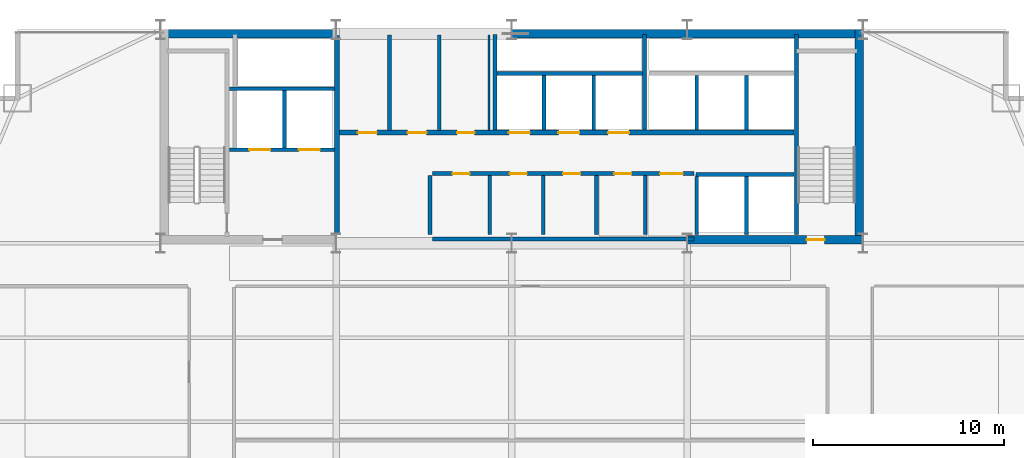
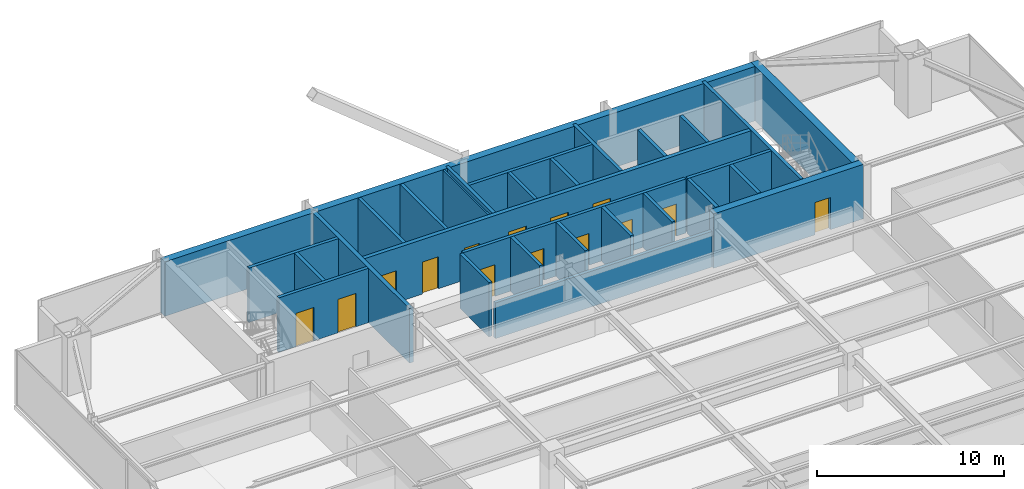
# One storey, part 34 of 37: 29 walls, 14 doors, 14 openings.
"""IFC4 building model written with IfcOpenShell, lengths in metres."""

from ifc_helpers import new_model, si_unit, direction, frame, frame_2d, origin, place, context, subcontext, project, spatial, rectangle, extrude, source, transform, mapped, material, layer, layer_set, type_object, type_shapes, element, fill, save


model = new_model("IFC4")

# Units and contexts
model_context = context("Model", 3, precision=1e-05, world=origin(), true_north=direction((0.0, 1.0)))
body_context = subcontext(model_context, "Body", "Model", "MODEL_VIEW")
ifc_project = project(units=[si_unit("LENGTHUNIT", "METRE"), si_unit("AREAUNIT", "SQUARE_METRE"), si_unit("VOLUMEUNIT", "CUBIC_METRE"), si_unit("PLANEANGLEUNIT", "RADIAN"), si_unit("MASSUNIT", "GRAM", prefix="KILO")], contexts=[model_context])

# Site, building, storey
site_placement = place(None, origin())
site = spatial("IfcSite", under=ifc_project, at=site_placement, CompositionType="ELEMENT")
building_placement = place(site_placement, origin())
building = spatial("IfcBuilding", under=site, at=building_placement, Name="Varnel Quay Broadcast Tower", CompositionType="ELEMENT")
storey_placement = place(building_placement, frame((0.0, 0.0, 106.800048828125)))
storey = spatial("IfcBuildingStorey", under=building, at=storey_placement, Name="L25", CompositionType="ELEMENT", Elevation=106.800048828125)

# Wall, openings, doors
ifc_material_1 = material(Name="Concrete CSA A23.3 C50/60", Category="concrete")
ifc_layer_1 = layer(ifc_material_1, 0.199951171875, Name="Concrete CSA A23.3 C50/60")
ifc_layer_set_1 = layer_set([ifc_layer_1], Name="Concrete CSA A23.3 C50/60")
wall_type_1 = type_object("IfcWallType", Name="Wall_CoreShaftShear200", PredefinedType="SHEAR", material=ifc_layer_set_1)
wall_1_placement = place(storey_placement, frame((19.199951171875, 40.5, 0.0), z_axis=(0.0, 0.0, 1.0), x_axis=(1.0, 0.0, 0.0)))
wall_1 = element("IfcWall", 1, at=wall_1_placement, inside=storey, type_object=wall_type_1, Name="L25 Firefighter Lift Shaft Front Wall", PredefinedType="SHEAR", context=body_context, shape_type="SweptSolid", body=[
    extrude(rectangle(XDim=5.52001953125, YDim=0.199951171875, at=frame_2d((2.760009765625, 0.0))), origin(), (0.0, 0.0, 1.0), 3.550048828125),
])
opening_1_placement = place(wall_1_placement, frame((1.050048828125, 0.0, 0.0)))
opening_1 = element("IfcOpeningElement", 2, at=opening_1_placement, cuts=wall_1, Name="Opening LD-L25-FE1", PredefinedType="OPENING", context=body_context, shape_type="SweptSolid", body=[
    extrude(rectangle(XDim=1.10009765625, YDim=2.179931640625, at=frame_2d((0.550048828125, 1.08984375))), frame((0.0, 0.10986328125, 0.0), z_axis=(0.0, -1.0, 0.0), x_axis=(1.0, 0.0, 0.0)), (0.0, 0.0, 1.0), 0.219970703125),
])
opening_2_placement = place(wall_1_placement, frame((3.64990234375, 0.0, 0.0)))
opening_2 = element("IfcOpeningElement", 3, at=opening_2_placement, cuts=wall_1, Name="Opening LD-L25-FE2", PredefinedType="OPENING", context=body_context, shape_type="SweptSolid", body=[
    extrude(rectangle(XDim=1.10009765625, YDim=2.179931640625, at=frame_2d((0.550048828125, 1.08984375))), frame((0.0, 0.10986328125, 0.0), z_axis=(0.0, -1.0, 0.0), x_axis=(1.0, 0.0, 0.0)), (0.0, 0.0, 1.0), 0.219970703125),
])
ifc_material_2 = material(Name="Brushed Bronze-Stainless Lift Car & Sliding Doors", Category="steel")
door_type_1 = type_object("IfcDoorType", Name="Door_LiftLanding1100", OperationType="SLIDING_TO_LEFT", PredefinedType="DOOR", material=ifc_material_2)
shared_shape_1 = source(origin(), body_context, "Body", "SweptSolid", [
    extrude(rectangle(XDim=1.10009765625, YDim=2.179931640625, at=frame_2d((0.550048828125, 1.08984375))), frame((0.0, 0.02490234375, 0.0), z_axis=(0.0, -1.0, 0.0), x_axis=(1.0, 0.0, 0.0)), (0.0, 0.0, 1.0), 0.050048828125),
])
type_shapes(door_type_1, [shared_shape_1])
door_1_placement = place(opening_1_placement, frame((1.10009765625, 0.0, 0.0), z_axis=(0.0, 0.0, 1.0), x_axis=(-1.0, 0.0, 0.0)))
door_1 = element("IfcDoor", 4, at=door_1_placement, inside=storey, type_object=door_type_1, Name="L25 Firefighter Lift FE-01 Landing Door", OperationType="SLIDING_TO_LEFT", OverallHeight=2.179931640625, OverallWidth=1.10009765625, PredefinedType="DOOR", context=body_context, shape_type="MappedRepresentation", body=[
    mapped(shared_shape_1, transform((0.0, 0.0, 0.0), x_axis=(1.0, 0.0, 0.0), y_axis=(0.0, 1.0, 0.0), z_axis=(0.0, 0.0, 1.0), scale=1.0)),
])
fill(opening_1, door_1)
door_2_placement = place(opening_2_placement, frame((1.10009765625, 0.0, 0.0), z_axis=(0.0, 0.0, 1.0), x_axis=(-1.0, 0.0, 0.0)))
door_2 = element("IfcDoor", 5, at=door_2_placement, inside=storey, type_object=door_type_1, Name="L25 Firefighter Lift FE-02 Landing Door", OperationType="SLIDING_TO_RIGHT", OverallHeight=2.179931640625, OverallWidth=1.10009765625, PredefinedType="DOOR", context=body_context, shape_type="MappedRepresentation", body=[
    mapped(shared_shape_1, transform((0.0, 0.0, 0.0), x_axis=(1.0, 0.0, 0.0), y_axis=(0.0, 1.0, 0.0), z_axis=(0.0, 0.0, 1.0), scale=1.0)),
])
fill(opening_2, door_2)

# Walls
wall_2_placement = place(storey_placement, frame((19.199951171875, 43.699951171875, 0.0), z_axis=(0.0, 0.0, 1.0), x_axis=(1.0, 0.0, 0.0)))
element("IfcWall", 6, at=wall_2_placement, inside=storey, type_object=wall_type_1, Name="L25 Firefighter Lift Shaft Rear Wall", PredefinedType="SHEAR", context=body_context, shape_type="SweptSolid", body=[
    extrude(rectangle(XDim=5.52001953125, YDim=0.199951171875, at=frame_2d((2.760009765625, 0.0))), origin(), (0.0, 0.0, 1.0), 3.550048828125),
])
wall_3_placement = place(storey_placement, frame((22.10009765625, 40.60009765625, 0.0), z_axis=(0.0, 0.0, 1.0), x_axis=(0.0, 1.0, 0.0)))
element("IfcWall", 7, at=wall_3_placement, inside=storey, type_object=wall_type_1, Name="L25 Firefighter Lift Shaft Divider", PredefinedType="SHEAR", context=body_context, shape_type="SweptSolid", body=[
    extrude(rectangle(XDim=3.0, YDim=0.199951171875, at=frame_2d((1.5, 0.0))), origin(), (0.0, 0.0, 1.0), 3.550048828125),
])
wall_4_placement = place(storey_placement, frame((48.919921875, 36.050048828125, 0.0), z_axis=(0.0, 0.0, 1.0), x_axis=(0.0, 1.0, 0.0)))
element("IfcWall", 8, at=wall_4_placement, inside=storey, type_object=wall_type_1, Name="L25 Stair 2 West Structural Wall", PredefinedType="SHEAR", context=body_context, shape_type="SweptSolid", body=[
    extrude(rectangle(XDim=10.5, YDim=0.199951171875, at=frame_2d((5.25, 0.0))), origin(), (0.0, 0.0, 1.0), 3.550048828125),
])
wall_5_placement = place(storey_placement, frame((33.219970703125, 44.5, 0.0), z_axis=(0.0, 0.0, 1.0), x_axis=(1.0, 0.0, 0.0)))
element("IfcWall", 9, at=wall_5_placement, inside=storey, type_object=wall_type_1, Name="L25 Mid-Rise Lift Shaft Rear Wall", PredefinedType="SHEAR", context=body_context, shape_type="SweptSolid", body=[
    extrude(rectangle(XDim=7.630126953125, YDim=0.199951171875, at=frame_2d((3.81494140625, 0.0))), origin(), (0.0, 0.0, 1.0), 3.550048828125),
])
wall_6_placement = place(storey_placement, frame((33.1201171875, 41.530029296875, 0.0), z_axis=(0.0, 0.0, 1.0), x_axis=(0.0, 1.0, 0.0)))
element("IfcWall", 10, at=wall_6_placement, inside=storey, type_object=wall_type_1, Name="L25 Mid-Rise Lift Shaft Divider 1", PredefinedType="SHEAR", context=body_context, shape_type="SweptSolid", body=[
    extrude(rectangle(XDim=5.02001953125, YDim=0.199951171875, at=frame_2d((2.510009765625, 0.0))), origin(), (0.0, 0.0, 1.0), 3.550048828125),
])
for number, where, z_axis, x_axis, name in (
    (11, (35.699951171875, 41.530029296875, 0.0), (0.0, 0.0, 1.0), (0.0, 1.0, 0.0), "L25 Mid-Rise Lift Shaft Divider 2"),
    (12, (38.300048828125, 41.530029296875, 0.0), (0.0, 0.0, 1.0), (0.0, 1.0, 0.0), "L25 Mid-Rise Lift Shaft Divider 3"),
):
    element("IfcWall", number, at=place(storey_placement, frame(where, z_axis=z_axis, x_axis=x_axis)), inside=storey, type_object=wall_type_1, Name=name, PredefinedType="SHEAR", context=body_context, shape_type="SweptSolid", body=[
        extrude(rectangle(XDim=2.869873046875, YDim=0.199951171875, at=frame_2d((1.43505859375, 0.0))), origin(), (0.0, 0.0, 1.0), 3.550048828125),
    ])
wall_7_placement = place(storey_placement, frame((40.949951171875, 41.530029296875, 0.0), z_axis=(0.0, 0.0, 1.0), x_axis=(0.0, 1.0, 0.0)))
element("IfcWall", 13, at=wall_7_placement, inside=storey, type_object=wall_type_1, Name="L25 Mid-Rise Lift Shaft Divider 4", PredefinedType="SHEAR", context=body_context, shape_type="SweptSolid", body=[
    extrude(rectangle(XDim=5.02001953125, YDim=0.199951171875, at=frame_2d((2.510009765625, 0.0))), origin(), (0.0, 0.0, 1.0), 3.550048828125),
])
for number, where, z_axis, x_axis, name in (
    (14, (43.699951171875, 41.530029296875, 0.0), (0.0, 0.0, 1.0), (0.0, 1.0, 0.0), "L25 High-Rise Lift Shaft Divider 2"),
    (15, (46.300048828125, 41.530029296875, 0.0), (0.0, 0.0, 1.0), (0.0, 1.0, 0.0), "L25 High-Rise Lift Shaft Divider 3"),
):
    element("IfcWall", number, at=place(storey_placement, frame(where, z_axis=z_axis, x_axis=x_axis)), inside=storey, type_object=wall_type_1, Name=name, PredefinedType="SHEAR", context=body_context, shape_type="SweptSolid", body=[
        extrude(rectangle(XDim=2.869873046875, YDim=0.199951171875, at=frame_2d((1.43505859375, 0.0))), origin(), (0.0, 0.0, 1.0), 3.550048828125),
    ])
for number, where, z_axis, x_axis, name in (
    (16, (43.699951171875, 36.050048828125, 0.0), (0.0, 0.0, 1.0), (0.0, 1.0, 0.0), "L25 Express Lift Shaft West Wall"),
    (17, (46.300048828125, 36.050048828125, 0.0), (0.0, 0.0, 1.0), (0.0, 1.0, 0.0), "L25 Express Lift Shaft Divider"),
):
    element("IfcWall", number, at=place(storey_placement, frame(where, z_axis=z_axis, x_axis=x_axis)), inside=storey, type_object=wall_type_1, Name=name, PredefinedType="SHEAR", context=body_context, shape_type="SweptSolid", body=[
        extrude(rectangle(XDim=3.050048828125, YDim=0.199951171875, at=frame_2d((1.52490234375, 0.0))), origin(), (0.0, 0.0, 1.0), 3.550048828125),
    ])
wall_8_placement = place(storey_placement, frame((43.64990234375, 39.199951171875, 0.0), z_axis=(0.0, 0.0, 1.0), x_axis=(1.0, 0.0, 0.0)))
element("IfcWall", 18, at=wall_8_placement, inside=storey, type_object=wall_type_1, Name="L25 Express Lift Shaft North Front Wall", PredefinedType="SHEAR", context=body_context, shape_type="SweptSolid", body=[
    extrude(rectangle(XDim=5.150146484375, YDim=0.199951171875, at=frame_2d((2.5751953125, 0.0))), origin(), (0.0, 0.0, 1.0), 3.550048828125),
])
ifc_layer_2 = layer(ifc_material_1, 0.25, Name="Concrete CSA A23.3 C50/60")
ifc_layer_set_2 = layer_set([ifc_layer_2], Name="Concrete CSA A23.3 C50/60")
wall_type_2 = type_object("IfcWallType", Name="Wall_CoreShaftShear250", PredefinedType="SHEAR", material=ifc_layer_set_2)
wall_9_placement = place(storey_placement, frame((24.85009765625, 36.050048828125, 0.0), z_axis=(0.0, 0.0, 1.0), x_axis=(0.0, 1.0, 0.0)))
element("IfcWall", 19, at=wall_9_placement, inside=storey, type_object=wall_type_2, Name="L25 Firefighting Lobby East Structural Wall", PredefinedType="SHEAR", context=body_context, shape_type="SweptSolid", body=[
    extrude(rectangle(XDim=10.449951171875, YDim=0.25, at=frame_2d((5.22509765625, 0.0))), origin(), (0.0, 0.0, 1.0), 3.550048828125),
])

# Wall, openings, doors
wall_10_placement = place(storey_placement, frame((24.97998046875, 41.39990234375, 0.0), z_axis=(0.0, 0.0, 1.0), x_axis=(1.0, 0.0, 0.0)))
wall_10 = element("IfcWall", 20, at=wall_10_placement, inside=storey, type_object=wall_type_2, Name="L25 North Lift Bank & Reclaimed Suite Wall", PredefinedType="SHEAR", context=body_context, shape_type="SweptSolid", body=[
    extrude(rectangle(XDim=23.820068359375, YDim=0.25, at=frame_2d((11.91015625, 0.0))), origin(), (0.0, 0.0, 1.0), 3.550048828125),
])
opening_3_placement = place(wall_10_placement, frame((8.8701171875, 0.0, 0.0)))
opening_3 = element("IfcOpeningElement", 21, at=opening_3_placement, cuts=wall_10, Name="Opening LD-L25-PM-01", PredefinedType="OPENING", context=body_context, shape_type="SweptSolid", body=[
    extrude(rectangle(XDim=1.10009765625, YDim=2.179931640625, at=frame_2d((0.550048828125, 1.08984375))), frame((0.0, 0.135009765625, 0.0), z_axis=(0.0, -1.0, 0.0), x_axis=(1.0, 0.0, 0.0)), (0.0, 0.0, 1.0), 0.27001953125),
])
opening_4_placement = place(wall_10_placement, frame((11.469970703125, 0.0, 0.0)))
opening_4 = element("IfcOpeningElement", 22, at=opening_4_placement, cuts=wall_10, Name="Opening LD-L25-PM-02", PredefinedType="OPENING", context=body_context, shape_type="SweptSolid", body=[
    extrude(rectangle(XDim=1.10009765625, YDim=2.179931640625, at=frame_2d((0.550048828125, 1.08984375))), frame((0.0, 0.135009765625, 0.0), z_axis=(0.0, -1.0, 0.0), x_axis=(1.0, 0.0, 0.0)), (0.0, 0.0, 1.0), 0.27001953125),
])
opening_5_placement = place(wall_10_placement, frame((14.070068359375, 0.0, 0.0)))
opening_5 = element("IfcOpeningElement", 23, at=opening_5_placement, cuts=wall_10, Name="Opening LD-L25-PM-03", PredefinedType="OPENING", context=body_context, shape_type="SweptSolid", body=[
    extrude(rectangle(XDim=1.10009765625, YDim=2.179931640625, at=frame_2d((0.550048828125, 1.08984375))), frame((0.0, 0.135009765625, 0.0), z_axis=(0.0, -1.0, 0.0), x_axis=(1.0, 0.0, 0.0)), (0.0, 0.0, 1.0), 0.27001953125),
])
opening_6_placement = place(wall_10_placement, frame((0.9599609375, 0.0, 0.0)))
opening_6 = element("IfcOpeningElement", 24, at=opening_6_placement, cuts=wall_10, Name="Opening D-L25-RECA1", PredefinedType="OPENING", context=body_context, shape_type="SweptSolid", body=[
    extrude(rectangle(XDim=1.0, YDim=2.080078125, at=frame_2d((0.5, 1.0400390625))), frame((0.0, 0.135009765625, 0.0), z_axis=(0.0, -1.0, 0.0), x_axis=(1.0, 0.0, 0.0)), (0.0, 0.0, 1.0), 0.27001953125),
])
opening_7_placement = place(wall_10_placement, frame((3.56005859375, 0.0, 0.0)))
opening_7 = element("IfcOpeningElement", 25, at=opening_7_placement, cuts=wall_10, Name="Opening D-L25-RECA2", PredefinedType="OPENING", context=body_context, shape_type="SweptSolid", body=[
    extrude(rectangle(XDim=1.0, YDim=2.080078125, at=frame_2d((0.5, 1.0400390625))), frame((0.0, 0.135009765625, 0.0), z_axis=(0.0, -1.0, 0.0), x_axis=(1.0, 0.0, 0.0)), (0.0, 0.0, 1.0), 0.27001953125),
])
opening_8_placement = place(wall_10_placement, frame((6.159912109375, 0.0, 0.0)))
opening_8 = element("IfcOpeningElement", 26, at=opening_8_placement, cuts=wall_10, Name="Opening D-L25-RECA3", PredefinedType="OPENING", context=body_context, shape_type="SweptSolid", body=[
    extrude(rectangle(XDim=0.919921875, YDim=2.080078125, at=frame_2d((0.4599609375, 1.0400390625))), frame((0.0, 0.135009765625, 0.0), z_axis=(0.0, -1.0, 0.0), x_axis=(1.0, 0.0, 0.0)), (0.0, 0.0, 1.0), 0.27001953125),
])
door_3_placement = place(opening_3_placement, frame((1.10009765625, 0.0, 0.0), z_axis=(0.0, 0.0, 1.0), x_axis=(-1.0, 0.0, 0.0)))
door_3 = element("IfcDoor", 27, at=door_3_placement, inside=storey, type_object=door_type_1, Name="L25 Lift PM-01 Landing Door", OperationType="SLIDING_TO_LEFT", OverallHeight=2.179931640625, OverallWidth=1.10009765625, PredefinedType="DOOR", context=body_context, shape_type="MappedRepresentation", body=[
    mapped(shared_shape_1, transform((0.0, 0.0, 0.0), x_axis=(1.0, 0.0, 0.0), y_axis=(0.0, 1.0, 0.0), z_axis=(0.0, 0.0, 1.0), scale=1.0)),
])
fill(opening_3, door_3)
door_4_placement = place(opening_4_placement, frame((1.10009765625, 0.0, 0.0), z_axis=(0.0, 0.0, 1.0), x_axis=(-1.0, 0.0, 0.0)))
door_4 = element("IfcDoor", 28, at=door_4_placement, inside=storey, type_object=door_type_1, Name="L25 Lift PM-02 Landing Door", OperationType="SLIDING_TO_LEFT", OverallHeight=2.179931640625, OverallWidth=1.10009765625, PredefinedType="DOOR", context=body_context, shape_type="MappedRepresentation", body=[
    mapped(shared_shape_1, transform((0.0, 0.0, 0.0), x_axis=(1.0, 0.0, 0.0), y_axis=(0.0, 1.0, 0.0), z_axis=(0.0, 0.0, 1.0), scale=1.0)),
])
fill(opening_4, door_4)
door_5_placement = place(opening_5_placement, frame((1.10009765625, 0.0, 0.0), z_axis=(0.0, 0.0, 1.0), x_axis=(-1.0, 0.0, 0.0)))
door_5 = element("IfcDoor", 29, at=door_5_placement, inside=storey, type_object=door_type_1, Name="L25 Lift PM-03 Landing Door", OperationType="SLIDING_TO_LEFT", OverallHeight=2.179931640625, OverallWidth=1.10009765625, PredefinedType="DOOR", context=body_context, shape_type="MappedRepresentation", body=[
    mapped(shared_shape_1, transform((0.0, 0.0, 0.0), x_axis=(1.0, 0.0, 0.0), y_axis=(0.0, 1.0, 0.0), z_axis=(0.0, 0.0, 1.0), scale=1.0)),
])
fill(opening_5, door_5)
ifc_material_3 = material(Name="Insulated Fire-Rated Hollow Steel Door", Category="steel")
door_type_2 = type_object("IfcDoorType", Name="Door_FireLobby1000", OperationType="NOTDEFINED", PredefinedType="DOOR", material=ifc_material_3)
shared_shape_2 = source(origin(), body_context, "Body", "SweptSolid", [
    extrude(rectangle(XDim=1.0, YDim=2.080078125, at=frame_2d((0.5, 1.0400390625))), frame((0.0, 0.02490234375, 0.0), z_axis=(0.0, -1.0, 0.0), x_axis=(1.0, 0.0, 0.0)), (0.0, 0.0, 1.0), 0.050048828125),
])
type_shapes(door_type_2, [shared_shape_2])
door_6_placement = place(opening_6_placement, origin())
door_6 = element("IfcDoor", 30, at=door_6_placement, inside=storey, type_object=door_type_2, Name="L25 Ingest Rack Bay A Door", OperationType="SINGLE_SWING_RIGHT", OverallHeight=2.080078125, OverallWidth=1.0, PredefinedType="DOOR", context=body_context, shape_type="MappedRepresentation", body=[
    mapped(shared_shape_2, transform((0.0, 0.0, 0.0), x_axis=(1.0, 0.0, 0.0), y_axis=(0.0, 1.0, 0.0), z_axis=(0.0, 0.0, 1.0), scale=1.0)),
])
fill(opening_6, door_6)
door_7_placement = place(opening_7_placement, origin())
door_7 = element("IfcDoor", 31, at=door_7_placement, inside=storey, type_object=door_type_2, Name="L25 Fiber Patch Bay Door", OperationType="SINGLE_SWING_LEFT", OverallHeight=2.080078125, OverallWidth=1.0, PredefinedType="DOOR", context=body_context, shape_type="MappedRepresentation", body=[
    mapped(shared_shape_2, transform((0.0, 0.0, 0.0), x_axis=(1.0, 0.0, 0.0), y_axis=(0.0, 1.0, 0.0), z_axis=(0.0, 0.0, 1.0), scale=1.0)),
])
fill(opening_7, door_7)
ifc_material_4 = material(Name="Solid-Core Fire-Rated Acoustic Oak Veneer Door", Category="wood")
door_type_3 = type_object("IfcDoorType", Name="Door_Office920", OperationType="NOTDEFINED", PredefinedType="DOOR", material=ifc_material_4)
shared_shape_3 = source(origin(), body_context, "Body", "SweptSolid", [
    extrude(rectangle(XDim=0.919921875, YDim=2.080078125, at=frame_2d((0.4599609375, 1.0400390625))), frame((0.0, 0.02490234375, 0.0), z_axis=(0.0, -1.0, 0.0), x_axis=(1.0, 0.0, 0.0)), (0.0, 0.0, 1.0), 0.050048828125),
])
type_shapes(door_type_3, [shared_shape_3])
door_8_placement = place(opening_8_placement, origin())
door_8 = element("IfcDoor", 32, at=door_8_placement, inside=storey, type_object=door_type_3, Name="L25 Telemetry Store Door", OperationType="SINGLE_SWING_RIGHT", OverallHeight=2.080078125, OverallWidth=0.919921875, PredefinedType="DOOR", context=body_context, shape_type="MappedRepresentation", body=[
    mapped(shared_shape_3, transform((0.0, 0.0, 0.0), x_axis=(1.0, 0.0, 0.0), y_axis=(0.0, 1.0, 0.0), z_axis=(0.0, 0.0, 1.0), scale=1.0)),
])
fill(opening_8, door_8)

# Walls
ifc_material_5 = material(Name="Concrete CSA A23.3 C60/75", Category="concrete")
ifc_layer_3 = layer(ifc_material_5, 0.449951171875, Name="Concrete CSA A23.3 C60/75")
ifc_layer_set_3 = layer_set([ifc_layer_3], Name="Concrete CSA A23.3 C60/75")
wall_type_3 = type_object("IfcWallType", Name="Wall_CoreShearExt450", PredefinedType="SHEAR", material=ifc_layer_set_3)
wall_11_placement = place(storey_placement, frame((15.60009765625, 46.574951171875, 0.0), z_axis=(0.0, 0.0, 1.0), x_axis=(1.0, 0.0, 0.0)))
element("IfcWall", 33, at=wall_11_placement, inside=storey, type_object=wall_type_3, Name="L25 North Core Shear Wall", PredefinedType="SHEAR", context=body_context, shape_type="SweptSolid", body=[
    extrude(rectangle(XDim=36.7998046875, YDim=0.449951171875, at=frame_2d((18.39990234375, 0.0))), origin(), (0.0, 0.0, 1.0), 3.550048828125),
])
ifc_layer_4 = layer(ifc_material_5, 0.449951171875, Name="Concrete CSA A23.3 C60/75")
ifc_layer_set_4 = layer_set([ifc_layer_4], Name="Concrete CSA A23.3 C60/75")
wall_type_4 = type_object("IfcWallType", Name="Wall_CoreShearInt450", PredefinedType="SHEAR", material=ifc_layer_set_4)
wall_12_placement = place(storey_placement, frame((52.205078125, 35.570068359375, 0.0), z_axis=(0.0, 0.0, 1.0), x_axis=(0.0, 1.0, 0.0)))
element("IfcWall", 34, at=wall_12_placement, inside=storey, type_object=wall_type_4, Name="L25 East Core Shear Wall", PredefinedType="SHEAR", context=body_context, shape_type="SweptSolid", body=[
    extrude(rectangle(XDim=11.22998046875, YDim=0.449951171875, at=frame_2d((5.614990234375, 0.0))), origin(), (0.0, 0.0, 1.0), 3.550048828125),
])

# Wall, opening, door
wall_13_placement = place(storey_placement, frame((43.199951171875, 35.794921875, 0.0), z_axis=(0.0, 0.0, 1.0), x_axis=(1.0, 0.0, 0.0)))
wall_13 = element("IfcWall", 35, at=wall_13_placement, inside=storey, type_object=wall_type_4, Name="L25 South-East Core Shear Wall", PredefinedType="SHEAR", context=body_context, shape_type="SweptSolid", body=[
    extrude(rectangle(XDim=9.22998046875, YDim=0.449951171875, at=frame_2d((4.614990234375, 0.0))), origin(), (0.0, 0.0, 1.0), 3.550048828125),
])
opening_9_placement = place(wall_13_placement, frame((6.25, 0.0, 0.0)))
opening_9 = element("IfcOpeningElement", 36, at=opening_9_placement, cuts=wall_13, Name="Opening D-L25-S2", PredefinedType="OPENING", context=body_context, shape_type="SweptSolid", body=[
    extrude(rectangle(XDim=0.949951171875, YDim=2.10009765625, at=frame_2d((0.47509765625, 1.050048828125))), frame((0.0, 0.23486328125, 0.0), z_axis=(0.0, -1.0, 0.0), x_axis=(1.0, 0.0, 0.0)), (0.0, 0.0, 1.0), 0.469970703125),
])
door_type_4 = type_object("IfcDoorType", Name="Door_FireStair950", OperationType="NOTDEFINED", PredefinedType="DOOR", material=ifc_material_3)
shared_shape_4 = source(origin(), body_context, "Body", "SweptSolid", [
    extrude(rectangle(XDim=0.949951171875, YDim=2.10009765625, at=frame_2d((0.47509765625, 1.050048828125))), frame((0.0, 0.02490234375, 0.0), z_axis=(0.0, -1.0, 0.0), x_axis=(1.0, 0.0, 0.0)), (0.0, 0.0, 1.0), 0.050048828125),
])
type_shapes(door_type_4, [shared_shape_4])
door_9_placement = place(opening_9_placement, origin())
door_9 = element("IfcDoor", 37, at=door_9_placement, inside=storey, type_object=door_type_4, Name="L25 Stair 2 Fire Door", OperationType="SINGLE_SWING_LEFT", OverallHeight=2.10009765625, OverallWidth=0.949951171875, PredefinedType="DOOR", context=body_context, shape_type="MappedRepresentation", body=[
    mapped(shared_shape_4, transform((0.0, 0.0, 0.0), x_axis=(1.0, 0.0, 0.0), y_axis=(0.0, 1.0, 0.0), z_axis=(0.0, 0.0, 1.0), scale=1.0)),
])
fill(opening_9, door_9)

# Wall
ifc_material_6 = material(Name="Concrete Blockwork Fire Enclosure C40/50", Category="masonry")
ifc_layer_5 = layer(ifc_material_6, 0.199951171875, Name="Concrete Blockwork Fire Enclosure C40/50")
ifc_layer_set_5 = layer_set([ifc_layer_5], Name="Concrete Blockwork Fire Enclosure C40/50")
wall_type_5 = type_object("IfcWallType", Name="Wall_FireShaft200", PredefinedType="SOLIDWALL", material=ifc_layer_set_5)
wall_14_placement = place(storey_placement, frame((29.85009765625, 35.824951171875, 0.0), z_axis=(0.0, 0.0, 1.0), x_axis=(1.0, 0.0, 0.0)))
element("IfcWall", 38, at=wall_14_placement, inside=storey, type_object=wall_type_5, Name="L25 Accessible Washroom Partition 1", PredefinedType="SOLIDWALL", context=body_context, shape_type="SweptSolid", body=[
    extrude(rectangle(XDim=13.699951171875, YDim=0.199951171875, at=frame_2d((6.85009765625, 0.0))), origin(), (0.0, 0.0, 1.0), 2.324951171875),
])

# Wall, openings, doors
wall_15_placement = place(storey_placement, frame((29.85009765625, 39.25, 0.0), z_axis=(0.0, 0.0, 1.0), x_axis=(1.0, 0.0, 0.0)))
wall_15 = element("IfcWall", 39, at=wall_15_placement, inside=storey, type_object=wall_type_5, Name="L25 Accessible Washroom Partition 3", PredefinedType="SOLIDWALL", context=body_context, shape_type="SweptSolid", body=[
    extrude(rectangle(XDim=13.699951171875, YDim=0.199951171875, at=frame_2d((6.85009765625, 0.0))), origin(), (0.0, 0.0, 1.0), 3.530029296875),
])
opening_10_placement = place(wall_15_placement, frame((1.050048828125, 0.0, 0.0)))
opening_10 = element("IfcOpeningElement", 40, at=opening_10_placement, cuts=wall_15, Name="Opening D-L25-01", PredefinedType="OPENING", context=body_context, shape_type="SweptSolid", body=[
    extrude(rectangle(XDim=0.89990234375, YDim=2.06005859375, at=frame_2d((0.449951171875, 1.030029296875))), frame((0.0, 0.10986328125, 0.0), z_axis=(0.0, -1.0, 0.0), x_axis=(1.0, 0.0, 0.0)), (0.0, 0.0, 1.0), 0.219970703125),
])
opening_11_placement = place(wall_15_placement, frame((4.050048828125, 0.0, 0.0)))
opening_11 = element("IfcOpeningElement", 41, at=opening_11_placement, cuts=wall_15, Name="Opening D-L25-02", PredefinedType="OPENING", context=body_context, shape_type="SweptSolid", body=[
    extrude(rectangle(XDim=0.89990234375, YDim=2.06005859375, at=frame_2d((0.449951171875, 1.030029296875))), frame((0.0, 0.10986328125, 0.0), z_axis=(0.0, -1.0, 0.0), x_axis=(1.0, 0.0, 0.0)), (0.0, 0.0, 1.0), 0.219970703125),
])
opening_12_placement = place(wall_15_placement, frame((6.85009765625, 0.0, 0.0)))
opening_12 = element("IfcOpeningElement", 42, at=opening_12_placement, cuts=wall_15, Name="Opening D-L25-03", PredefinedType="OPENING", context=body_context, shape_type="SweptSolid", body=[
    extrude(rectangle(XDim=0.89990234375, YDim=2.06005859375, at=frame_2d((0.449951171875, 1.030029296875))), frame((0.0, 0.10986328125, 0.0), z_axis=(0.0, -1.0, 0.0), x_axis=(1.0, 0.0, 0.0)), (0.0, 0.0, 1.0), 0.219970703125),
])
opening_13_placement = place(wall_15_placement, frame((9.534912109375, 0.0, 0.0)))
opening_13 = element("IfcOpeningElement", 43, at=opening_13_placement, cuts=wall_15, Name="Opening D-L25-04", PredefinedType="OPENING", context=body_context, shape_type="SweptSolid", body=[
    extrude(rectangle(XDim=0.8798828125, YDim=2.06005859375, at=frame_2d((0.43994140625, 1.030029296875))), frame((0.0, 0.10986328125, 0.0), z_axis=(0.0, -1.0, 0.0), x_axis=(1.0, 0.0, 0.0)), (0.0, 0.0, 1.0), 0.219970703125),
])
opening_14_placement = place(wall_15_placement, frame((11.925048828125, 0.0, 0.0)))
opening_14 = element("IfcOpeningElement", 44, at=opening_14_placement, cuts=wall_15, Name="Opening D-L25-05", PredefinedType="OPENING", context=body_context, shape_type="SweptSolid", body=[
    extrude(rectangle(XDim=1.199951171875, YDim=2.10009765625, at=frame_2d((0.60009765625, 1.050048828125))), frame((0.0, 0.10986328125, 0.0), z_axis=(0.0, -1.0, 0.0), x_axis=(1.0, 0.0, 0.0)), (0.0, 0.0, 1.0), 0.219970703125),
])
door_type_5 = type_object("IfcDoorType", Name="Door_Washroom900", OperationType="NOTDEFINED", PredefinedType="DOOR", material=ifc_material_4)
shared_shape_5 = source(origin(), body_context, "Body", "SweptSolid", [
    extrude(rectangle(XDim=0.89990234375, YDim=2.06005859375, at=frame_2d((0.449951171875, 1.030029296875))), frame((0.0, 0.02490234375, 0.0), z_axis=(0.0, -1.0, 0.0), x_axis=(1.0, 0.0, 0.0)), (0.0, 0.0, 1.0), 0.050048828125),
])
type_shapes(door_type_5, [shared_shape_5])
door_10_placement = place(opening_10_placement, frame((0.89990234375, 0.0, 0.0), z_axis=(0.0, 0.0, 1.0), x_axis=(-1.0, 0.0, 0.0)))
door_10 = element("IfcDoor", 45, at=door_10_placement, inside=storey, type_object=door_type_5, Name="L25 Accessible Washroom Door D-L25-01", OperationType="SINGLE_SWING_LEFT", OverallHeight=2.06005859375, OverallWidth=0.89990234375, PredefinedType="DOOR", context=body_context, shape_type="MappedRepresentation", body=[
    mapped(shared_shape_5, transform((0.0, 0.0, 0.0), x_axis=(1.0, 0.0, 0.0), y_axis=(0.0, 1.0, 0.0), z_axis=(0.0, 0.0, 1.0), scale=1.0)),
])
fill(opening_10, door_10)
door_11_placement = place(opening_11_placement, frame((0.89990234375, 0.0, 0.0), z_axis=(0.0, 0.0, 1.0), x_axis=(-1.0, 0.0, 0.0)))
door_11 = element("IfcDoor", 46, at=door_11_placement, inside=storey, type_object=door_type_5, Name="L25 West Gender-Neutral Washroom Door D-L25-02", OperationType="SINGLE_SWING_RIGHT", OverallHeight=2.06005859375, OverallWidth=0.89990234375, PredefinedType="DOOR", context=body_context, shape_type="MappedRepresentation", body=[
    mapped(shared_shape_5, transform((0.0, 0.0, 0.0), x_axis=(1.0, 0.0, 0.0), y_axis=(0.0, 1.0, 0.0), z_axis=(0.0, 0.0, 1.0), scale=1.0)),
])
fill(opening_11, door_11)
door_12_placement = place(opening_12_placement, frame((0.89990234375, 0.0, 0.0), z_axis=(0.0, 0.0, 1.0), x_axis=(-1.0, 0.0, 0.0)))
door_12 = element("IfcDoor", 47, at=door_12_placement, inside=storey, type_object=door_type_5, Name="L25 East Staff Washroom Door D-L25-03", OperationType="SINGLE_SWING_LEFT", OverallHeight=2.06005859375, OverallWidth=0.89990234375, PredefinedType="DOOR", context=body_context, shape_type="MappedRepresentation", body=[
    mapped(shared_shape_5, transform((0.0, 0.0, 0.0), x_axis=(1.0, 0.0, 0.0), y_axis=(0.0, 1.0, 0.0), z_axis=(0.0, 0.0, 1.0), scale=1.0)),
])
fill(opening_12, door_12)
door_type_6 = type_object("IfcDoorType", Name="Door_Plant1200", OperationType="NOTDEFINED", PredefinedType="DOOR", material=ifc_material_3)
shared_shape_6 = source(origin(), body_context, "Body", "SweptSolid", [
    extrude(rectangle(XDim=1.199951171875, YDim=2.10009765625, at=frame_2d((0.60009765625, 1.050048828125))), frame((0.0, 0.02490234375, 0.0), z_axis=(0.0, -1.0, 0.0), x_axis=(1.0, 0.0, 0.0)), (0.0, 0.0, 1.0), 0.050048828125),
])
type_shapes(door_type_6, [shared_shape_6])
door_13_placement = place(opening_14_placement, origin())
door_13 = element("IfcDoor", 48, at=door_13_placement, inside=storey, type_object=door_type_6, Name="L25 Telecom IDF Closet Door D-L25-05", OperationType="SINGLE_SWING_LEFT", OverallHeight=2.10009765625, OverallWidth=1.199951171875, PredefinedType="DOOR", context=body_context, shape_type="MappedRepresentation", body=[
    mapped(shared_shape_6, transform((0.0, 0.0, 0.0), x_axis=(1.0, 0.0, 0.0), y_axis=(0.0, 1.0, 0.0), z_axis=(0.0, 0.0, 1.0), scale=1.0)),
])
fill(opening_14, door_13)
door_type_7 = type_object("IfcDoorType", Name="Door_Booth880", OperationType="NOTDEFINED", PredefinedType="DOOR", material=ifc_material_4)
shared_shape_7 = source(origin(), body_context, "Body", "SweptSolid", [
    extrude(rectangle(XDim=0.8798828125, YDim=2.06005859375, at=frame_2d((0.43994140625, 1.030029296875))), frame((0.0, 0.02490234375, 0.0), z_axis=(0.0, -1.0, 0.0), x_axis=(1.0, 0.0, 0.0)), (0.0, 0.0, 1.0), 0.050048828125),
])
type_shapes(door_type_7, [shared_shape_7])
door_14_placement = place(opening_13_placement, frame((0.8798828125, 0.0, 0.0), z_axis=(0.0, 0.0, 1.0), x_axis=(-1.0, 0.0, 0.0)))
door_14 = element("IfcDoor", 49, at=door_14_placement, inside=storey, type_object=door_type_7, Name="L25 Cleaners' & Linen Store Door D-L25-04", OperationType="SINGLE_SWING_RIGHT", OverallHeight=2.06005859375, OverallWidth=0.8798828125, PredefinedType="DOOR", context=body_context, shape_type="MappedRepresentation", body=[
    mapped(shared_shape_7, transform((0.0, 0.0, 0.0), x_axis=(1.0, 0.0, 0.0), y_axis=(0.0, 1.0, 0.0), z_axis=(0.0, 0.0, 1.0), scale=1.0)),
])
fill(opening_13, door_14)

# Walls
wall_16_placement = place(storey_placement, frame((41.0, 36.050048828125, 0.0), z_axis=(0.0, 0.0, 1.0), x_axis=(0.0, 1.0, 0.0)))
element("IfcWall", 50, at=wall_16_placement, inside=storey, type_object=wall_type_5, Name="L25 Cleaners' & Linen Store Partition 7", PredefinedType="SOLIDWALL", context=body_context, shape_type="SweptSolid", body=[
    extrude(rectangle(XDim=3.099853515625, YDim=0.199951171875, at=frame_2d((1.5498046875, 0.0))), origin(), (0.0, 0.0, 1.0), 3.530029296875),
])
for number, where, z_axis, x_axis, name in (
    (51, (27.60009765625, 41.5, 0.0), (0.0, 0.0, 1.0), (0.0, 1.0, 0.0), "L25 Ingest Rack Bay A Partition 21"),
    (52, (30.199951171875, 41.5, 0.0), (0.0, 0.0, 1.0), (0.0, 1.0, 0.0), "L25 Fiber Patch Bay Partition 22"),
):
    element("IfcWall", number, at=place(storey_placement, frame(where, z_axis=z_axis, x_axis=x_axis)), inside=storey, type_object=wall_type_5, Name=name, PredefinedType="SOLIDWALL", context=body_context, shape_type="SweptSolid", body=[
        extrude(rectangle(XDim=5.02001953125, YDim=0.199951171875, at=frame_2d((2.510009765625, 0.0))), origin(), (0.0, 0.0, 1.0), 3.530029296875),
    ])
ifc_material_7 = material(Name="Steel-Stud Fire-Rated Acoustic Gypsum Partition Assembly", Category="steel")
ifc_layer_6 = layer(ifc_material_7, 0.10498046875, Name="Steel-Stud Fire-Rated Acoustic Gypsum Partition Assembly")
ifc_layer_set_6 = layer_set([ifc_layer_6], Name="Steel-Stud Fire-Rated Acoustic Gypsum Partition Assembly")
wall_type_6 = type_object("IfcWallType", Name="Wall_Partition105", PredefinedType="PARTITIONING", material=ifc_layer_set_6)
wall_17_placement = place(storey_placement, frame((32.800048828125, 41.5, 0.0), z_axis=(0.0, 0.0, 1.0), x_axis=(0.0, 1.0, 0.0)))
element("IfcWall", 53, at=wall_17_placement, inside=storey, type_object=wall_type_6, Name="L25 Telemetry Store Partition 23", PredefinedType="PARTITIONING", context=body_context, shape_type="SweptSolid", body=[
    extrude(rectangle(XDim=5.02001953125, YDim=0.10498046875, at=frame_2d((2.510009765625, 0.0))), origin(), (0.0, 0.0, 1.0), 3.530029296875),
])
ifc_material_8 = material(Name="Fire-Rated Moisture-Resistant Plumbing Chase Partition")
ifc_layer_7 = layer(ifc_material_8, 0.199951171875, Name="Fire-Rated Moisture-Resistant Plumbing Chase Partition")
ifc_layer_set_7 = layer_set([ifc_layer_7], Name="Fire-Rated Moisture-Resistant Plumbing Chase Partition")
wall_type_7 = type_object("IfcWallType", Name="Wall_Plumbing200", PredefinedType="PLUMBINGWALL", material=ifc_layer_set_7)
for number, where, z_axis, x_axis, name in (
    (54, (32.85009765625, 36.050048828125, 0.0), (0.0, 0.0, 1.0), (0.0, 1.0, 0.0), "L25 Accessible Washroom Partition 2"),
    (55, (29.72509765625, 36.050048828125, 0.0), (0.0, 0.0, 1.0), (0.0, 1.0, 0.0), "L25 Accessible Washroom Partition 4"),
    (56, (35.64990234375, 36.050048828125, 0.0), (0.0, 0.0, 1.0), (0.0, 1.0, 0.0), "L25 West Gender-Neutral Washroom Partition 5"),
    (57, (38.449951171875, 36.050048828125, 0.0), (0.0, 0.0, 1.0), (0.0, 1.0, 0.0), "L25 East Staff Washroom Partition 6"),
):
    element("IfcWall", number, at=place(storey_placement, frame(where, z_axis=z_axis, x_axis=x_axis)), inside=storey, type_object=wall_type_7, Name=name, PredefinedType="PLUMBINGWALL", context=body_context, shape_type="SweptSolid", body=[
        extrude(rectangle(XDim=3.099853515625, YDim=0.199951171875, at=frame_2d((1.5498046875, 0.0))), origin(), (0.0, 0.0, 1.0), 3.530029296875),
    ])

save(model, "model.ifc")
